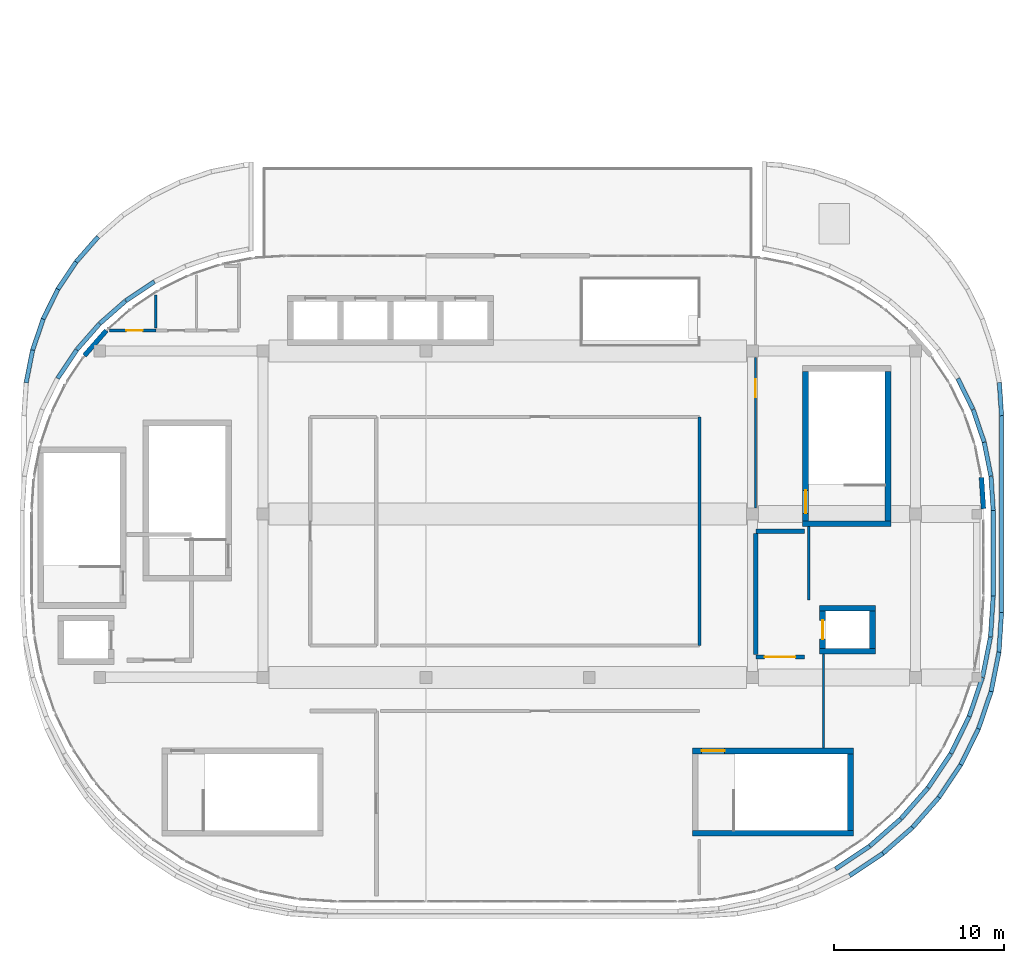
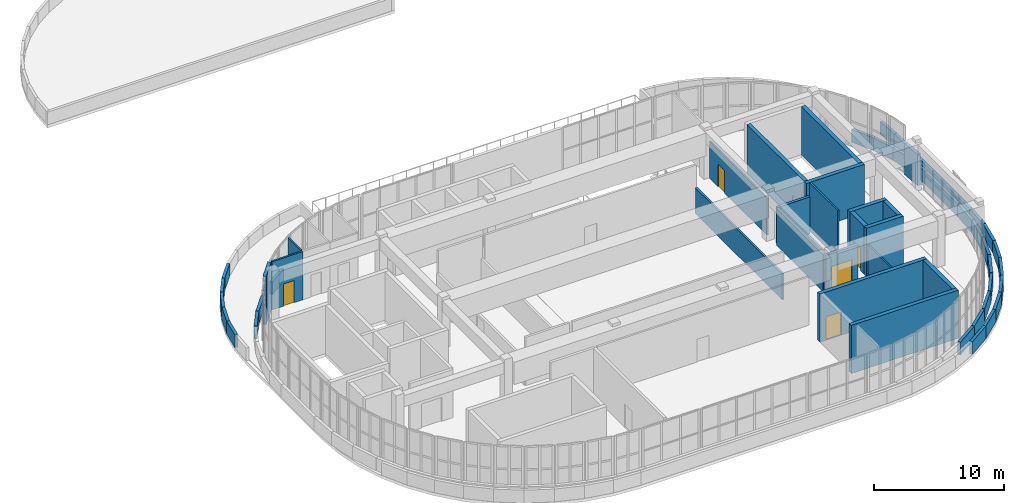
# One storey, part 18 of 23: 53 walls, 6 doors, 6 openings.
"""IFC4 building model written with IfcOpenShell, lengths in metres."""

from ifc_helpers import new_model, si_unit, direction, frame, frame_2d, origin, place, context, subcontext, project, spatial, rectangle, extrude, material, layer, layer_set, type_object, element, fill, save


model = new_model("IFC4")

# Units and contexts
model_context = context("Model", 3, precision=1e-05, world=origin(), true_north=direction((0.0, 1.0)))
body_context = subcontext(model_context, "Body", "Model", "MODEL_VIEW")
ifc_project = project(units=[si_unit("LENGTHUNIT", "METRE"), si_unit("AREAUNIT", "SQUARE_METRE"), si_unit("VOLUMEUNIT", "CUBIC_METRE"), si_unit("PLANEANGLEUNIT", "RADIAN"), si_unit("MASSUNIT", "GRAM", prefix="KILO")], contexts=[model_context])

# Site, building, storey
site_placement = place(None, origin())
site = spatial("IfcSite", under=ifc_project, at=site_placement, CompositionType="ELEMENT")
building_placement = place(site_placement, origin())
building = spatial("IfcBuilding", under=site, at=building_placement, Name="Cendralis Terraced Arcade", CompositionType="ELEMENT")
storey_placement = place(building_placement, frame((0.0, 0.0, 29.39990234375)))
storey = spatial("IfcBuildingStorey", under=building, at=storey_placement, Name="L06", CompositionType="ELEMENT", Elevation=29.39990234375)

# Wall
ifc_material_1 = material(Name="Concrete f'c 42 MPa", Category="concrete")
ifc_layer_1 = layer(ifc_material_1, 0.340087890625, Name="WL-CORE-340")
ifc_layer_set_1 = layer_set([ifc_layer_1], Name="Concrete f'c 42 MPa")
wall_type_1 = type_object("IfcWallType", Name="WL-CORE-340", PredefinedType="SHEAR", material=ifc_layer_set_1)
wall_1_placement = place(storey_placement, frame((44.4599609375, 10.030029296875, 0.0), z_axis=(0.0, 0.0, 1.0), x_axis=(1.0, 0.0, 0.0)))
element("IfcWall", 1, at=wall_1_placement, inside=storey, type_object=wall_type_1, Name="Stair Core Reinforced Concrete Shear Wall SW-ST-03-L06-S", PredefinedType="SHEAR", context=body_context, shape_type="SweptSolid", body=[
    extrude(rectangle(XDim=9.47998046875, YDim=0.340087890625, at=frame_2d((4.739990234375, 0.0))), origin(), (0.0, 0.0, 1.0), 4.525146484375),
])

# Wall, opening, door
wall_2_placement = place(storey_placement, frame((44.4599609375, 14.8701171875, 0.0), z_axis=(0.0, 0.0, 1.0), x_axis=(1.0, 0.0, 0.0)))
wall_2 = element("IfcWall", 2, at=wall_2_placement, inside=storey, type_object=wall_type_1, Name="Stair Core Reinforced Concrete Shear Wall SW-ST-03-L06-N", PredefinedType="SHEAR", context=body_context, shape_type="SweptSolid", body=[
    extrude(rectangle(XDim=9.47998046875, YDim=0.340087890625, at=frame_2d((4.739990234375, 0.0))), origin(), (0.0, 0.0, 1.0), 4.525146484375),
])
opening_1_placement = place(wall_2_placement, frame((0.550048828125, 0.0, 0.0)))
opening_1 = element("IfcOpeningElement", 3, at=opening_1_placement, cuts=wall_2, Name="Opening D-ST-03-L06", PredefinedType="OPENING", context=body_context, shape_type="SweptSolid", body=[
    extrude(rectangle(XDim=1.35009765625, YDim=2.199951171875, at=frame_2d((0.675048828125, 1.10009765625))), frame((0.0, 0.18212890625, 0.0), z_axis=(0.0, -1.0, 0.0), x_axis=(1.0, 0.0, 0.0)), (0.0, 0.0, 1.0), 0.364013671875),
])
ifc_material_2 = material(Name="Galvanised fire-rated steel door assembly", Category="steel")
door_type_1 = type_object("IfcDoorType", Name="ID-ST-1350x2200", OperationType="NOTDEFINED", PredefinedType="DOOR", material=ifc_material_2)
door_1_placement = place(opening_1_placement, frame((1.35009765625, 0.0, 0.0), z_axis=(0.0, 0.0, 1.0), x_axis=(-1.0, 0.0, 0.0)))
door_1 = element("IfcDoor", 4, at=door_1_placement, inside=storey, type_object=door_type_1, Name="Protected Stair ST-03 Fire Door (L06)", OperationType="SINGLE_SWING_RIGHT", OverallHeight=2.199951171875, OverallWidth=1.35009765625, PredefinedType="DOOR", context=body_context, shape_type="SweptSolid", body=[
    extrude(rectangle(XDim=1.35009765625, YDim=2.199951171875, at=frame_2d((0.675048828125, 1.10009765625))), frame((0.0, 0.02490234375, 0.0), z_axis=(0.0, -1.0, 0.0), x_axis=(1.0, 0.0, 0.0)), (0.0, 0.0, 1.0), 0.050048828125),
])
fill(opening_1, door_1)

# Walls
wall_3_placement = place(storey_placement, frame((53.77001953125, 10.199951171875, 0.0), z_axis=(0.0, 0.0, 1.0), x_axis=(0.0, 1.0, 0.0)))
element("IfcWall", 5, at=wall_3_placement, inside=storey, type_object=wall_type_1, Name="Stair Core Reinforced Concrete Shear Wall SW-ST-03-L06-E", PredefinedType="SHEAR", context=body_context, shape_type="SweptSolid", body=[
    extrude(rectangle(XDim=4.5, YDim=0.340087890625, at=frame_2d((2.25, 0.0))), origin(), (0.0, 0.0, 1.0), 4.525146484375),
])
wall_4_placement = place(storey_placement, frame((50.9599609375, 28.22998046875, 0.0), z_axis=(0.0, 0.0, 1.0), x_axis=(1.0, 0.0, 0.0)))
element("IfcWall", 6, at=wall_4_placement, inside=storey, type_object=wall_type_1, Name="Stair Core Reinforced Concrete Shear Wall SW-ST-04-L06-S", PredefinedType="SHEAR", context=body_context, shape_type="SweptSolid", body=[
    extrude(rectangle(XDim=5.179931640625, YDim=0.340087890625, at=frame_2d((2.58984375, 0.0))), origin(), (0.0, 0.0, 1.0), 4.525146484375),
])
wall_5_placement = place(storey_placement, frame((55.969970703125, 28.39990234375, 0.0), z_axis=(0.0, 0.0, 1.0), x_axis=(0.0, 1.0, 0.0)))
element("IfcWall", 7, at=wall_5_placement, inside=storey, type_object=wall_type_1, Name="Stair Core Reinforced Concrete Shear Wall SW-ST-04-L06-E", PredefinedType="SHEAR", context=body_context, shape_type="SweptSolid", body=[
    extrude(rectangle(XDim=8.800048828125, YDim=0.340087890625, at=frame_2d((4.39990234375, 0.0))), origin(), (0.0, 0.0, 1.0), 4.525146484375),
])

# Wall, opening, door
wall_6_placement = place(storey_placement, frame((51.1298828125, 28.39990234375, 0.0), z_axis=(0.0, 0.0, 1.0), x_axis=(0.0, 1.0, 0.0)))
wall_6 = element("IfcWall", 8, at=wall_6_placement, inside=storey, type_object=wall_type_1, Name="Stair Core Reinforced Concrete Shear Wall SW-ST-04-L06-W", PredefinedType="SHEAR", context=body_context, shape_type="SweptSolid", body=[
    extrude(rectangle(XDim=8.800048828125, YDim=0.340087890625, at=frame_2d((4.39990234375, 0.0))), origin(), (0.0, 0.0, 1.0), 4.525146484375),
])
opening_2_placement = place(wall_6_placement, frame((0.449951171875, 0.0, 0.0)))
opening_2 = element("IfcOpeningElement", 9, at=opening_2_placement, cuts=wall_6, Name="Opening D-ST-04-L06", PredefinedType="OPENING", context=body_context, shape_type="SweptSolid", body=[
    extrude(rectangle(XDim=1.35009765625, YDim=2.199951171875, at=frame_2d((0.675048828125, 1.10009765625))), frame((0.0, 0.18212890625, 0.0), z_axis=(0.0, -1.0, 0.0), x_axis=(1.0, 0.0, 0.0)), (0.0, 0.0, 1.0), 0.364013671875),
])
door_2_placement = place(opening_2_placement, frame((1.35009765625, 0.0, 0.0), z_axis=(0.0, 0.0, 1.0), x_axis=(-1.0, 0.0, 0.0)))
door_2 = element("IfcDoor", 10, at=door_2_placement, inside=storey, type_object=door_type_1, Name="Protected Stair ST-04 Fire Door (L06)", OperationType="SINGLE_SWING_RIGHT", OverallHeight=2.199951171875, OverallWidth=1.35009765625, PredefinedType="DOOR", context=body_context, shape_type="SweptSolid", body=[
    extrude(rectangle(XDim=1.35009765625, YDim=2.199951171875, at=frame_2d((0.675048828125, 1.10009765625))), frame((0.0, 0.02490234375, 0.0), z_axis=(0.0, -1.0, 0.0), x_axis=(1.0, 0.0, 0.0)), (0.0, 0.0, 1.0), 0.050048828125),
])
fill(opening_2, door_2)

# Walls
for number, where, z_axis, x_axis, name in (
    (11, (51.9599609375, 20.72998046875, 0.0), (0.0, 0.0, 1.0), (1.0, 0.0, 0.0), "Lift FFL-02 Reinforced Concrete Shaft Wall (L06)"),
    (12, (51.9599609375, 23.27001953125, 0.0), (0.0, 0.0, 1.0), (1.0, 0.0, 0.0), "Lift FFL-02 Reinforced Concrete Shaft Wall (L06)"),
):
    element("IfcWall", number, at=place(storey_placement, frame(where, z_axis=z_axis, x_axis=x_axis)), inside=storey, type_object=wall_type_1, Name=name, PredefinedType="SHEAR", context=body_context, shape_type="SweptSolid", body=[
        extrude(rectangle(XDim=3.280029296875, YDim=0.340087890625, at=frame_2d((1.64013671875, 0.0))), origin(), (0.0, 0.0, 1.0), 4.525146484375),
    ])

# Wall, opening, door
wall_7_placement = place(storey_placement, frame((52.1298828125, 20.89990234375, 0.0), z_axis=(0.0, 0.0, 1.0), x_axis=(0.0, 1.0, 0.0)))
wall_7 = element("IfcWall", 13, at=wall_7_placement, inside=storey, type_object=wall_type_1, Name="Lift FFL-02 Reinforced Concrete Shaft Wall (L06)", PredefinedType="SHEAR", context=body_context, shape_type="SweptSolid", body=[
    extrude(rectangle(XDim=2.2001953125, YDim=0.340087890625, at=frame_2d((1.10009765625, 0.0))), origin(), (0.0, 0.0, 1.0), 4.525146484375),
])
opening_3_placement = place(wall_7_placement, frame((0.550048828125, 0.0, 0.0)))
opening_3 = element("IfcOpeningElement", 14, at=opening_3_placement, cuts=wall_7, Name="Opening LD-FFL-02-L06", PredefinedType="OPENING", context=body_context, shape_type="SweptSolid", body=[
    extrude(rectangle(XDim=1.10009765625, YDim=2.14990234375, at=frame_2d((0.550048828125, 1.074951171875))), frame((0.0, 0.18212890625, 0.0), z_axis=(0.0, -1.0, 0.0), x_axis=(1.0, 0.0, 0.0)), (0.0, 0.0, 1.0), 0.364013671875),
])
ifc_material_3 = material(Name="Anodised aluminium sliding door assembly", Category="aluminium")
door_type_2 = type_object("IfcDoorType", Name="ID-LD-FF-1100x2150", OperationType="DOUBLE_DOOR_SLIDING", PredefinedType="DOOR", material=ifc_material_3)
door_3_placement = place(opening_3_placement, origin())
door_3 = element("IfcDoor", 15, at=door_3_placement, inside=storey, type_object=door_type_2, Name="Lift FFL-02 Sliding Landing Door (L06)", OperationType="DOUBLE_DOOR_SLIDING", OverallHeight=2.14990234375, OverallWidth=1.10009765625, PredefinedType="DOOR", context=body_context, shape_type="SweptSolid", body=[
    extrude(rectangle(XDim=1.10009765625, YDim=2.14990234375, at=frame_2d((0.550048828125, 1.074951171875))), frame((0.0, 0.02490234375, 0.0), z_axis=(0.0, -1.0, 0.0), x_axis=(1.0, 0.0, 0.0)), (0.0, 0.0, 1.0), 0.050048828125),
])
fill(opening_3, door_3)

# Walls
wall_8_placement = place(storey_placement, frame((55.070068359375, 20.89990234375, 0.0), z_axis=(0.0, 0.0, 1.0), x_axis=(0.0, 1.0, 0.0)))
element("IfcWall", 16, at=wall_8_placement, inside=storey, type_object=wall_type_1, Name="Lift FFL-02 Reinforced Concrete Shaft Wall (L06)", PredefinedType="SHEAR", context=body_context, shape_type="SweptSolid", body=[
    extrude(rectangle(XDim=2.2001953125, YDim=0.340087890625, at=frame_2d((1.10009765625, 0.0))), origin(), (0.0, 0.0, 1.0), 4.525146484375),
])
ifc_material_4 = material(Name="Precast concrete f'c 40 MPa", Category="concrete")
ifc_layer_2 = layer(ifc_material_4, 0.280029296875, Name="WL-EXT-GRC-280")
ifc_layer_set_2 = layer_set([ifc_layer_2], Name="Precast concrete f'c 40 MPa")
wall_type_2 = type_object("IfcWallType", Name="WL-EXT-GRC-280", PredefinedType="SOLIDWALL", material=ifc_layer_set_2)
wall_9_placement = place(storey_placement, frame((8.69970703125, 38.13134765625, 0.0), z_axis=(0.0, 0.0, 1.0), x_axis=(0.659305812587, 0.751874886859, 0.0)))
element("IfcWall", 17, at=wall_9_placement, inside=storey, type_object=wall_type_2, Name="Exterior Architectural Wall EW-L06-0335", PredefinedType="SOLIDWALL", context=body_context, shape_type="SweptSolid", body=[
    extrude(rectangle(XDim=1.962158203125, YDim=0.280029296875, at=frame_2d((0.98095703125, 0.0))), origin(), (0.0, 0.0, 1.0), 4.525146484375),
])
wall_10_placement = place(storey_placement, frame((61.4716796875, 30.9580078125, 0.0), z_axis=(0.0, 0.0, 1.0), x_axis=(0.065359813063, -0.997861761386, 0.0)))
element("IfcWall", 18, at=wall_10_placement, inside=storey, type_object=wall_type_2, Name="Exterior Architectural Wall EW-L06-0338", PredefinedType="SOLIDWALL", context=body_context, shape_type="SweptSolid", body=[
    extrude(rectangle(XDim=1.84521484375, YDim=0.280029296875, at=frame_2d((0.922607421875, 0.0))), origin(), (0.0, 0.0, 1.0), 2.9150390625),
])

# Wall, opening, door
ifc_material_5 = material(Name="Autoclaved aerated concrete blockwork", Category="masonry")
ifc_layer_3 = layer(ifc_material_5, 0.25, Name="WL-FFL-250")
ifc_layer_set_3 = layer_set([ifc_layer_3], Name="Autoclaved aerated concrete blockwork")
wall_type_3 = type_object("IfcWallType", Name="WL-FFL-250", PredefinedType="PARTITIONING", material=ifc_layer_set_3)
wall_11_placement = place(storey_placement, frame((48.199951171875, 20.39990234375, 0.0), z_axis=(0.0, 0.0, 1.0), x_axis=(1.0, 0.0, 0.0)))
wall_11 = element("IfcWall", 19, at=wall_11_placement, inside=storey, type_object=wall_type_3, Name="Firefighting Lift Lobby FFL-02 Rated Wall S (L06)", PredefinedType="PARTITIONING", context=body_context, shape_type="SweptSolid", body=[
    extrude(rectangle(XDim=2.85009765625, YDim=0.25, at=frame_2d((1.425048828125, 0.0))), origin(), (0.0, 0.0, 1.0), 3.465087890625),
])
opening_4_placement = place(wall_11_placement, frame((0.52001953125, 0.0, 0.0)))
opening_4 = element("IfcOpeningElement", 20, at=opening_4_placement, cuts=wall_11, Name="Opening D-FFL-02-L06-S", PredefinedType="OPENING", context=body_context, shape_type="SweptSolid", body=[
    extrude(rectangle(XDim=1.800048828125, YDim=2.25, at=frame_2d((0.89990234375, 1.125))), frame((0.0, 0.136962890625, 0.0), z_axis=(0.0, -1.0, 0.0), x_axis=(1.0, 0.0, 0.0)), (0.0, 0.0, 1.0), 0.27392578125),
])
door_type_3 = type_object("IfcDoorType", Name="ID-FFL-1800x2250", OperationType="DOUBLE_DOOR_SINGLE_SWING", PredefinedType="DOOR", material=ifc_material_2)
door_4_placement = place(opening_4_placement, origin())
door_4 = element("IfcDoor", 21, at=door_4_placement, inside=storey, type_object=door_type_3, Name="Firefighting Lift Lobby FFL-02 Rated Double Door (L06)", OperationType="DOUBLE_DOOR_SINGLE_SWING", OverallHeight=2.25, OverallWidth=1.800048828125, PredefinedType="DOOR", context=body_context, shape_type="SweptSolid", body=[
    extrude(rectangle(XDim=1.800048828125, YDim=2.25, at=frame_2d((0.89990234375, 1.125))), frame((0.0, 0.02490234375, 0.0), z_axis=(0.0, -1.0, 0.0), x_axis=(1.0, 0.0, 0.0)), (0.0, 0.0, 1.0), 0.050048828125),
])
fill(opening_4, door_4)

# Walls
wall_12_placement = place(storey_placement, frame((48.199951171875, 27.800048828125, 0.0), z_axis=(0.0, 0.0, 1.0), x_axis=(1.0, 0.0, 0.0)))
element("IfcWall", 22, at=wall_12_placement, inside=storey, type_object=wall_type_3, Name="Firefighting Lift Lobby FFL-02 Rated Wall N (L06)", PredefinedType="PARTITIONING", context=body_context, shape_type="SweptSolid", body=[
    extrude(rectangle(XDim=2.85009765625, YDim=0.25, at=frame_2d((1.425048828125, 0.0))), origin(), (0.0, 0.0, 1.0), 3.465087890625),
])
wall_13_placement = place(storey_placement, frame((48.199951171875, 20.530029296875, 0.0), z_axis=(0.0, 0.0, 1.0), x_axis=(0.0, 1.0, 0.0)))
element("IfcWall", 23, at=wall_13_placement, inside=storey, type_object=wall_type_3, Name="Firefighting Lift Lobby FFL-02 Rated Wall W (L06)", PredefinedType="PARTITIONING", context=body_context, shape_type="SweptSolid", body=[
    extrude(rectangle(XDim=7.139892578125, YDim=0.25, at=frame_2d((3.56982421875, 0.0))), origin(), (0.0, 0.0, 1.0), 3.465087890625),
])
ifc_layer_4 = layer(ifc_material_4, 0.25, Name="WL-PAR-250")
ifc_layer_set_4 = layer_set([ifc_layer_4], Name="Precast concrete f'c 40 MPa")
wall_type_4 = type_object("IfcWallType", Name="WL-PAR-250", PredefinedType="PARAPET", material=ifc_layer_set_4)
wall_14_placement = place(storey_placement, frame((5.6484375, 38.435791015625, 0.0), z_axis=(0.0, 0.0, 1.0), x_axis=(0.321411915774, 0.946939480853, 0.0)))
element("IfcWall", 24, at=wall_14_placement, inside=storey, type_object=wall_type_4, Name="Precast Concrete Roof Parapet Wall PAR-L06-438", PredefinedType="PARAPET", context=body_context, shape_type="SweptSolid", body=[
    extrude(rectangle(XDim=1.9619140625, YDim=0.25, at=frame_2d((0.98095703125, 0.0))), origin(), (0.0, 0.0, 1.0), 1.2001953125),
])
for number, where, z_axis, x_axis, name in (
    (25, (6.271728515625, 40.276123046875, 0.0), (0.0, 0.0, 1.0), (0.44232950124, 0.89685261461, 0.0), "Precast Concrete Roof Parapet Wall PAR-L06-439"),
    (26, (7.130126953125, 42.019287109375, 0.0), (0.0, 0.0, 1.0), (0.555532571306, 0.831494775821, 0.0), "Precast Concrete Roof Parapet Wall PAR-L06-440"),
    (27, (8.208740234375, 43.6357421875, 0.0), (0.0, 0.0, 1.0), (0.659305812587, 0.751874886859, 0.0), "Precast Concrete Roof Parapet Wall PAR-L06-441"),
):
    element("IfcWall", number, at=place(storey_placement, frame(where, z_axis=z_axis, x_axis=x_axis)), inside=storey, type_object=wall_type_4, Name=name, PredefinedType="PARAPET", context=body_context, shape_type="SweptSolid", body=[
        extrude(rectangle(XDim=1.962158203125, YDim=0.25, at=frame_2d((0.98095703125, 0.0))), origin(), (0.0, 0.0, 1.0), 1.2001953125),
    ])
wall_15_placement = place(storey_placement, frame((12.808837890625, 42.4755859375, 0.0), z_axis=(0.0, 0.0, 1.0), x_axis=(-0.83139798639, -0.555677413818, 0.0)))
element("IfcWall", 28, at=wall_15_placement, inside=storey, type_object=wall_type_4, Name="Precast Concrete Roof Parapet Wall PAR-L06-451", PredefinedType="PARAPET", context=body_context, shape_type="SweptSolid", body=[
    extrude(rectangle(XDim=2.01708984375, YDim=0.25, at=frame_2d((1.008544921875, 0.0))), origin(), (0.0, 0.0, 1.0), 1.2001953125),
])
for number, where, z_axis, x_axis, name in (
    (29, (11.11669921875, 41.34326171875, 0.0), (0.0, 0.0, 1.0), (-0.751826475426, -0.659361017083, 0.0), "Precast Concrete Roof Parapet Wall PAR-L06-452"),
    (30, (9.5869140625, 39.999755859375, 0.0), (0.0, 0.0, 1.0), (-0.659361017083, -0.751826475426, 0.0), "Precast Concrete Roof Parapet Wall PAR-L06-453"),
):
    element("IfcWall", number, at=place(storey_placement, frame(where, z_axis=z_axis, x_axis=x_axis)), inside=storey, type_object=wall_type_4, Name=name, PredefinedType="PARAPET", context=body_context, shape_type="SweptSolid", body=[
        extrude(rectangle(XDim=2.017333984375, YDim=0.25, at=frame_2d((1.0087890625, 0.0))), origin(), (0.0, 0.0, 1.0), 1.2001953125),
    ])
wall_16_placement = place(storey_placement, frame((8.2451171875, 38.46826171875, 0.0), z_axis=(0.0, 0.0, 1.0), x_axis=(-0.555537830231, -0.831491262241, 0.0)))
element("IfcWall", 31, at=wall_16_placement, inside=storey, type_object=wall_type_4, Name="Precast Concrete Roof Parapet Wall PAR-L06-454", PredefinedType="PARAPET", context=body_context, shape_type="SweptSolid", body=[
    extrude(rectangle(XDim=2.01708984375, YDim=0.25, at=frame_2d((1.008544921875, 0.0))), origin(), (0.0, 0.0, 1.0), 1.2001953125),
])
wall_17_placement = place(storey_placement, frame((52.89111328125, 7.926513671875, 0.0), z_axis=(0.0, 0.0, 1.0), x_axis=(0.831473071383, 0.555565056105, 0.0)))
element("IfcWall", 32, at=wall_17_placement, inside=storey, type_object=wall_type_4, Name="Precast Concrete Roof Parapet Wall PAR-L06-477", PredefinedType="PARAPET", context=body_context, shape_type="SweptSolid", body=[
    extrude(rectangle(XDim=2.409423828125, YDim=0.25, at=frame_2d((1.20458984375, 0.0))), origin(), (0.0, 0.0, 1.0), 1.2001953125),
])
wall_18_placement = place(storey_placement, frame((54.909423828125, 9.276611328125, 0.0), z_axis=(0.0, 0.0, 1.0), x_axis=(0.751841933509, 0.65934339082, 0.0)))
element("IfcWall", 33, at=wall_18_placement, inside=storey, type_object=wall_type_4, Name="Precast Concrete Roof Parapet Wall PAR-L06-478", PredefinedType="PARAPET", context=body_context, shape_type="SweptSolid", body=[
    extrude(rectangle(XDim=2.40966796875, YDim=0.25, at=frame_2d((1.204833984375, 0.0))), origin(), (0.0, 0.0, 1.0), 1.2001953125),
])
for number, where, z_axis, x_axis, name in (
    (34, (56.734619140625, 10.87890625, 0.0), (0.0, 0.0, 1.0), (0.659336344061, 0.751848113252, 0.0), "Precast Concrete Roof Parapet Wall PAR-L06-479"),
    (35, (58.3349609375, 12.70556640625, 0.0), (0.0, 0.0, 1.0), (0.555565056105, 0.831473071383, 0.0), "Precast Concrete Roof Parapet Wall PAR-L06-480"),
    (36, (59.68310546875, 14.7255859375, 0.0), (0.0, 0.0, 1.0), (0.442302532903, 0.896865914943, 0.0), "Precast Concrete Roof Parapet Wall PAR-L06-481"),
):
    element("IfcWall", number, at=place(storey_placement, frame(where, z_axis=z_axis, x_axis=x_axis)), inside=storey, type_object=wall_type_4, Name=name, PredefinedType="PARAPET", context=body_context, shape_type="SweptSolid", body=[
        extrude(rectangle(XDim=2.409423828125, YDim=0.25, at=frame_2d((1.20458984375, 0.0))), origin(), (0.0, 0.0, 1.0), 1.2001953125),
    ])
for number, where, z_axis, x_axis, name in (
    (37, (60.756103515625, 16.904052734375, 0.0), (0.0, 0.0, 1.0), (0.321390449784, 0.946946766607, 0.0), "Precast Concrete Roof Parapet Wall PAR-L06-482"),
    (38, (61.535400390625, 19.2041015625, 0.0), (0.0, 0.0, 1.0), (0.195141810123, 0.980775037377, 0.0), "Precast Concrete Roof Parapet Wall PAR-L06-483"),
):
    element("IfcWall", number, at=place(storey_placement, frame(where, z_axis=z_axis, x_axis=x_axis)), inside=storey, type_object=wall_type_4, Name=name, PredefinedType="PARAPET", context=body_context, shape_type="SweptSolid", body=[
        extrude(rectangle(XDim=2.40966796875, YDim=0.25, at=frame_2d((1.204833984375, 0.0))), origin(), (0.0, 0.0, 1.0), 1.2001953125),
    ])
wall_19_placement = place(storey_placement, frame((62.008056640625, 21.586181640625, 0.0), z_axis=(0.0, 0.0, 1.0), x_axis=(0.065423261992, 0.997857603464, 0.0)))
element("IfcWall", 39, at=wall_19_placement, inside=storey, type_object=wall_type_4, Name="Precast Concrete Roof Parapet Wall PAR-L06-484", PredefinedType="PARAPET", context=body_context, shape_type="SweptSolid", body=[
    extrude(rectangle(XDim=2.395751953125, YDim=0.25, at=frame_2d((1.19775390625, 0.0))), origin(), (0.0, 0.0, 1.0), 1.2001953125),
])
wall_20_placement = place(storey_placement, frame((62.1650390625, 23.986328125, 0.0), z_axis=(0.0, 0.0, 1.0), x_axis=(0.0, 1.0, 0.0)))
element("IfcWall", 40, at=wall_20_placement, inside=storey, type_object=wall_type_4, Name="Precast Concrete Roof Parapet Wall PAR-L06-485", PredefinedType="PARAPET", context=body_context, shape_type="SweptSolid", body=[
    extrude(rectangle(XDim=5.02734375, YDim=0.25, at=frame_2d((2.513671875, 0.0))), origin(), (0.0, 0.0, 1.0), 1.2001953125),
])
wall_21_placement = place(storey_placement, frame((62.164794921875, 29.023193359375, 0.0), z_axis=(0.0, 0.0, 1.0), x_axis=(-0.06544318898, 0.997856296776, 0.0)))
element("IfcWall", 41, at=wall_21_placement, inside=storey, type_object=wall_type_4, Name="Precast Concrete Roof Parapet Wall PAR-L06-486", PredefinedType="PARAPET", context=body_context, shape_type="SweptSolid", body=[
    extrude(rectangle(XDim=2.00341796875, YDim=0.25, at=frame_2d((1.001708984375, 0.0))), origin(), (0.0, 0.0, 1.0), 1.2001953125),
])
for number, where, z_axis, x_axis, name in (
    (42, (62.03125, 31.041015625, 0.0), (0.0, 0.0, 1.0), (-0.195091972221, 0.980784952156, 0.0), "Precast Concrete Roof Parapet Wall PAR-L06-487"),
    (43, (61.6328125, 33.037841796875, 0.0), (0.0, 0.0, 1.0), (-0.321451389675, 0.946926081633, 0.0), "Precast Concrete Roof Parapet Wall PAR-L06-488"),
):
    element("IfcWall", number, at=place(storey_placement, frame(where, z_axis=z_axis, x_axis=x_axis)), inside=storey, type_object=wall_type_4, Name=name, PredefinedType="PARAPET", context=body_context, shape_type="SweptSolid", body=[
        extrude(rectangle(XDim=2.017333984375, YDim=0.25, at=frame_2d((1.0087890625, 0.0))), origin(), (0.0, 0.0, 1.0), 1.2001953125),
    ])
wall_22_placement = place(storey_placement, frame((60.97705078125, 34.965576171875, 0.0), z_axis=(0.0, 0.0, 1.0), x_axis=(-0.442268477568, 0.896882709026, 0.0)))
element("IfcWall", 44, at=wall_22_placement, inside=storey, type_object=wall_type_4, Name="Precast Concrete Roof Parapet Wall PAR-L06-489", PredefinedType="PARAPET", context=body_context, shape_type="SweptSolid", body=[
    extrude(rectangle(XDim=2.01708984375, YDim=0.25, at=frame_2d((1.008544921875, 0.0))), origin(), (0.0, 0.0, 1.0), 1.2001953125),
])
wall_23_placement = place(storey_placement, frame((62.527099609375, 36.54833984375, 0.0), z_axis=(0.0, 0.0, 1.0), x_axis=(0.065329649797, -0.997863736618, 0.0)))
element("IfcWall", 45, at=wall_23_placement, inside=storey, type_object=wall_type_4, Name="Precast Concrete Roof Parapet Wall PAR-L06-509", PredefinedType="PARAPET", context=body_context, shape_type="SweptSolid", body=[
    extrude(rectangle(XDim=1.9619140625, YDim=0.25, at=frame_2d((0.98095703125, 0.0))), origin(), (0.0, 0.0, 1.0), 1.2001953125),
])
wall_24_placement = place(storey_placement, frame((62.655029296875, 34.60009765625, 0.0), z_axis=(0.0, 0.0, 1.0), x_axis=(0.0, -1.0, 0.0)))
element("IfcWall", 46, at=wall_24_placement, inside=storey, type_object=wall_type_4, Name="Precast Concrete Roof Parapet Wall PAR-L06-510", PredefinedType="PARAPET", context=body_context, shape_type="SweptSolid", body=[
    extrude(rectangle(XDim=11.60009765625, YDim=0.25, at=frame_2d((5.800048828125, 0.0))), origin(), (0.0, 0.0, 1.0), 1.2001953125),
])
wall_25_placement = place(storey_placement, frame((62.6552734375, 23.009521484375, 0.0), z_axis=(0.0, 0.0, 1.0), x_axis=(-0.065424780234, -0.997857503921, 0.0)))
element("IfcWall", 47, at=wall_25_placement, inside=storey, type_object=wall_type_4, Name="Precast Concrete Roof Parapet Wall PAR-L06-511", PredefinedType="PARAPET", context=body_context, shape_type="SweptSolid", body=[
    extrude(rectangle(XDim=2.354736328125, YDim=0.25, at=frame_2d((1.17724609375, 0.0))), origin(), (0.0, 0.0, 1.0), 1.2001953125),
])
wall_26_placement = place(storey_placement, frame((62.50390625, 20.6787109375, 0.0), z_axis=(0.0, 0.0, 1.0), x_axis=(-0.195158833328, -0.980771650168, 0.0)))
element("IfcWall", 48, at=wall_26_placement, inside=storey, type_object=wall_type_4, Name="Precast Concrete Roof Parapet Wall PAR-L06-512", PredefinedType="PARAPET", context=body_context, shape_type="SweptSolid", body=[
    extrude(rectangle(XDim=2.354248046875, YDim=0.25, at=frame_2d((1.17724609375, 0.0))), origin(), (0.0, 0.0, 1.0), 1.2001953125),
])
wall_27_placement = place(storey_placement, frame((62.04931640625, 18.387939453125, 0.0), z_axis=(0.0, 0.0, 1.0), x_axis=(-0.321417547846, -0.946937569186, 0.0)))
element("IfcWall", 49, at=wall_27_placement, inside=storey, type_object=wall_type_4, Name="Precast Concrete Roof Parapet Wall PAR-L06-513", PredefinedType="PARAPET", context=body_context, shape_type="SweptSolid", body=[
    extrude(rectangle(XDim=2.354736328125, YDim=0.25, at=frame_2d((1.17724609375, 0.0))), origin(), (0.0, 0.0, 1.0), 1.2001953125),
])
wall_28_placement = place(storey_placement, frame((61.2998046875, 16.17578125, 0.0), z_axis=(0.0, 0.0, 1.0), x_axis=(-0.442270773993, -0.896881576615, 0.0)))
element("IfcWall", 50, at=wall_28_placement, inside=storey, type_object=wall_type_4, Name="Precast Concrete Roof Parapet Wall PAR-L06-514", PredefinedType="PARAPET", context=body_context, shape_type="SweptSolid", body=[
    extrude(rectangle(XDim=2.354248046875, YDim=0.25, at=frame_2d((1.17724609375, 0.0))), origin(), (0.0, 0.0, 1.0), 1.2001953125),
])
for number, where, z_axis, x_axis, name in (
    (51, (60.267822265625, 14.08056640625, 0.0), (0.0, 0.0, 1.0), (-0.555561308514, -0.831475575397, 0.0), "Precast Concrete Roof Parapet Wall PAR-L06-515"),
    (52, (58.971435546875, 12.137939453125, 0.0), (0.0, 0.0, 1.0), (-0.659348374439, -0.751837562991, 0.0), "Precast Concrete Roof Parapet Wall PAR-L06-516"),
    (53, (57.432373046875, 10.381103515625, 0.0), (0.0, 0.0, 1.0), (-0.751837562991, -0.659348374439, 0.0), "Precast Concrete Roof Parapet Wall PAR-L06-517"),
):
    element("IfcWall", number, at=place(storey_placement, frame(where, z_axis=z_axis, x_axis=x_axis)), inside=storey, type_object=wall_type_4, Name=name, PredefinedType="PARAPET", context=body_context, shape_type="SweptSolid", body=[
        extrude(rectangle(XDim=2.3544921875, YDim=0.25, at=frame_2d((1.17724609375, 0.0))), origin(), (0.0, 0.0, 1.0), 1.2001953125),
    ])
wall_29_placement = place(storey_placement, frame((55.677001953125, 8.840087890625, 0.0), z_axis=(0.0, 0.0, 1.0), x_axis=(-0.831443568068, -0.555609208993, 0.0)))
element("IfcWall", 54, at=wall_29_placement, inside=storey, type_object=wall_type_4, Name="Precast Concrete Roof Parapet Wall PAR-L06-518", PredefinedType="PARAPET", context=body_context, shape_type="SweptSolid", body=[
    extrude(rectangle(XDim=2.354248046875, YDim=0.25, at=frame_2d((1.17724609375, 0.0))), origin(), (0.0, 0.0, 1.0), 1.2001953125),
])
wall_30_placement = place(storey_placement, frame((5.2705078125, 36.529541015625, 0.0), z_axis=(0.0, 0.0, 1.0), x_axis=(0.195087187285, 0.980785903935, 0.0)))
element("IfcWall", 55, at=wall_30_placement, inside=storey, type_object=wall_type_4, Name="Precast Concrete Roof Parapet Wall PAR-L06-538", PredefinedType="PARAPET", context=body_context, shape_type="SweptSolid", body=[
    extrude(rectangle(XDim=1.962158203125, YDim=0.25, at=frame_2d((0.98095703125, 0.0))), origin(), (0.0, 0.0, 1.0), 1.2001953125),
])
ifc_material_6 = material(Name="Gypsum plasterboard acoustic partition", Category="concrete")
ifc_layer_5 = layer(ifc_material_6, 0.1298828125, Name="WL-PART-130")
ifc_layer_set_5 = layer_set([ifc_layer_5], Name="Gypsum plasterboard acoustic partition")
wall_type_5 = type_object("IfcWallType", Name="WL-PART-130", PredefinedType="PARTITIONING", material=ifc_layer_set_5)
wall_31_placement = place(storey_placement, frame((12.89990234375, 39.75, 0.0), z_axis=(0.0, 0.0, 1.0), x_axis=(0.0, 1.0, 0.0)))
element("IfcWall", 56, at=wall_31_placement, inside=storey, type_object=wall_type_5, Name="Restroom Enclosure Partition IW-WC-L06-0083", PredefinedType="PARTITIONING", context=body_context, shape_type="SweptSolid", body=[
    extrude(rectangle(XDim=1.950439453125, YDim=0.1298828125, at=frame_2d((0.97509765625, 0.0))), origin(), (0.0, 0.0, 1.0), 4.525146484375),
])
ifc_layer_6 = layer(ifc_material_6, 0.134033203125, Name="WL-PART-134")
ifc_layer_set_6 = layer_set([ifc_layer_6], Name="Gypsum plasterboard acoustic partition")
wall_type_6 = type_object("IfcWallType", Name="WL-PART-134", PredefinedType="PARTITIONING", material=ifc_layer_set_6)
wall_32_placement = place(storey_placement, frame((52.179931640625, 15.0400390625, 0.0), z_axis=(0.0, 0.0, 1.0), x_axis=(0.0, 1.0, 0.0)))
element("IfcWall", 57, at=wall_32_placement, inside=storey, type_object=wall_type_6, Name="Interior Partition Wall IW-L06-0639", PredefinedType="PARTITIONING", context=body_context, shape_type="SweptSolid", body=[
    extrude(rectangle(XDim=5.52001953125, YDim=0.134033203125, at=frame_2d((2.760009765625, 0.0))), origin(), (0.0, 0.0, 1.0), 2.9150390625),
])
ifc_layer_7 = layer(ifc_material_6, 0.14208984375, Name="WL-PART-142")
ifc_layer_set_7 = layer_set([ifc_layer_7], Name="Gypsum plasterboard acoustic partition")
wall_type_7 = type_object("IfcWallType", Name="WL-PART-142", PredefinedType="PARTITIONING", material=ifc_layer_set_7)
wall_33_placement = place(storey_placement, frame((51.31005859375, 23.744873046875, 0.0), z_axis=(0.0, 0.0, 1.0), x_axis=(0.0, 1.0, 0.0)))
element("IfcWall", 58, at=wall_33_placement, inside=storey, type_object=wall_type_7, Name="Interior Partition Wall IW-L06-0637", PredefinedType="PARTITIONING", context=body_context, shape_type="SweptSolid", body=[
    extrude(rectangle(XDim=4.315185546875, YDim=0.14208984375, at=frame_2d((2.15771484375, 0.0))), origin(), (0.0, 0.0, 1.0), 4.525146484375),
])

# Wall, opening, door
ifc_layer_8 = layer(ifc_material_6, 0.14501953125, Name="WL-PART-145")
ifc_layer_set_8 = layer_set([ifc_layer_8], Name="Gypsum plasterboard acoustic partition")
wall_type_8 = type_object("IfcWallType", Name="WL-PART-145", PredefinedType="PARTITIONING", material=ifc_layer_set_8)
wall_34_placement = place(storey_placement, frame((48.179931640625, 29.169921875, 0.0), z_axis=(0.0, 0.0, 1.0), x_axis=(0.0, 1.0, 0.0)))
wall_34 = element("IfcWall", 59, at=wall_34_placement, inside=storey, type_object=wall_type_8, Name="Interior Partition Wall IW-L06-0636", PredefinedType="PARTITIONING", context=body_context, shape_type="SweptSolid", body=[
    extrude(rectangle(XDim=8.860107421875, YDim=0.14501953125, at=frame_2d((4.43017578125, 0.0))), origin(), (0.0, 0.0, 1.0), 3.465087890625),
])
opening_5_placement = place(wall_34_placement, frame((6.5048828125, 0.0, 0.0)))
opening_5 = element("IfcOpeningElement", 60, at=opening_5_placement, cuts=wall_34, Name="Opening D-L06-174", PredefinedType="OPENING", context=body_context, shape_type="SweptSolid", body=[
    extrude(rectangle(XDim=1.050048828125, YDim=2.10009765625, at=frame_2d((0.52490234375, 1.050048828125))), frame((0.0, 0.08447265625, 0.0), z_axis=(0.0, -1.0, 0.0), x_axis=(1.0, 0.0, 0.0)), (0.0, 0.0, 1.0), 0.1689453125),
])
ifc_material_7 = material(Name="Solid core Andean oak veneer door leaf", Category="aluminium")
door_type_4 = type_object("IfcDoorType", Name="ID-RM-1050x2100", OperationType="NOTDEFINED", PredefinedType="DOOR", material=ifc_material_7)
door_5_placement = place(opening_5_placement, origin())
door_5 = element("IfcDoor", 61, at=door_5_placement, inside=storey, type_object=door_type_4, Name="Customer Service and Tax-Free Lounge Door D-L06-174", OperationType="SINGLE_SWING_LEFT", OverallHeight=2.10009765625, OverallWidth=1.050048828125, PredefinedType="DOOR", context=body_context, shape_type="SweptSolid", body=[
    extrude(rectangle(XDim=1.050048828125, YDim=2.10009765625, at=frame_2d((0.52490234375, 1.050048828125))), frame((0.0, 0.02490234375, 0.0), z_axis=(0.0, -1.0, 0.0), x_axis=(1.0, 0.0, 0.0)), (0.0, 0.0, 1.0), 0.050048828125),
])
fill(opening_5, door_5)

ifc_layer_9 = layer(ifc_material_6, 0.159912109375, Name="WL-PART-160")
ifc_layer_set_9 = layer_set([ifc_layer_9], Name="Gypsum plasterboard acoustic partition")
wall_type_9 = type_object("IfcWallType", Name="WL-PART-160", PredefinedType="PARTITIONING", material=ifc_layer_set_9)
wall_35_placement = place(storey_placement, frame((10.18310546875, 39.60009765625, 0.0), z_axis=(0.0, 0.0, 1.0), x_axis=(1.0, 0.0, 0.0)))
wall_35 = element("IfcWall", 62, at=wall_35_placement, inside=storey, type_object=wall_type_9, Name="Restroom Enclosure Partition IW-WC-L06-0086", PredefinedType="PARTITIONING", context=body_context, shape_type="SweptSolid", body=[
    extrude(rectangle(XDim=2.716796875, YDim=0.159912109375, at=frame_2d((1.3583984375, 0.0))), origin(), (0.0, 0.0, 1.0), 4.525146484375),
])
opening_6_placement = place(wall_35_placement, frame((0.991943359375, 0.0, 0.0)))
opening_6 = element("IfcOpeningElement", 63, at=opening_6_placement, cuts=wall_35, Name="Opening D-WC-L06-030", PredefinedType="OPENING", context=body_context, shape_type="SweptSolid", body=[
    extrude(rectangle(XDim=0.949951171875, YDim=2.080078125, at=frame_2d((0.47509765625, 1.0400390625))), frame((0.0, 0.091796875, 0.0), z_axis=(0.0, -1.0, 0.0), x_axis=(1.0, 0.0, 0.0)), (0.0, 0.0, 1.0), 0.183837890625),
])
door_type_5 = type_object("IfcDoorType", Name="ID-WC-0950x2080", OperationType="NOTDEFINED", PredefinedType="DOOR", material=ifc_material_7)
door_6_placement = place(opening_6_placement, origin())
door_6 = element("IfcDoor", 64, at=door_6_placement, inside=storey, type_object=door_type_5, Name="Women's Restroom Door (L06)", OperationType="SINGLE_SWING_LEFT", OverallHeight=2.080078125, OverallWidth=0.949951171875, PredefinedType="DOOR", context=body_context, shape_type="SweptSolid", body=[
    extrude(rectangle(XDim=0.949951171875, YDim=2.080078125, at=frame_2d((0.47509765625, 1.0400390625))), frame((0.0, 0.02490234375, 0.0), z_axis=(0.0, -1.0, 0.0), x_axis=(1.0, 0.0, 0.0)), (0.0, 0.0, 1.0), 0.050048828125),
])
fill(opening_6, door_6)

# Wall
ifc_layer_10 = layer(ifc_material_6, 0.169921875, Name="WL-PART-170")
ifc_layer_set_10 = layer_set([ifc_layer_10], Name="Gypsum plasterboard acoustic partition")
wall_type_10 = type_object("IfcWallType", Name="WL-PART-170", PredefinedType="PARTITIONING", material=ifc_layer_set_10)
wall_36_placement = place(storey_placement, frame((44.8798828125, 34.52001953125, 0.0), z_axis=(0.0, 0.0, 1.0), x_axis=(0.0, -1.0, 0.0)))
element("IfcWall", 65, at=wall_36_placement, inside=storey, type_object=wall_type_10, Name="Interior Partition Wall IW-L06-0633", PredefinedType="PARTITIONING", context=body_context, shape_type="SweptSolid", body=[
    extrude(rectangle(XDim=13.43994140625, YDim=0.169921875, at=frame_2d((6.719970703125, 0.0))), origin(), (0.0, 0.0, 1.0), 2.4150390625),
])

save(model, "model.ifc")
